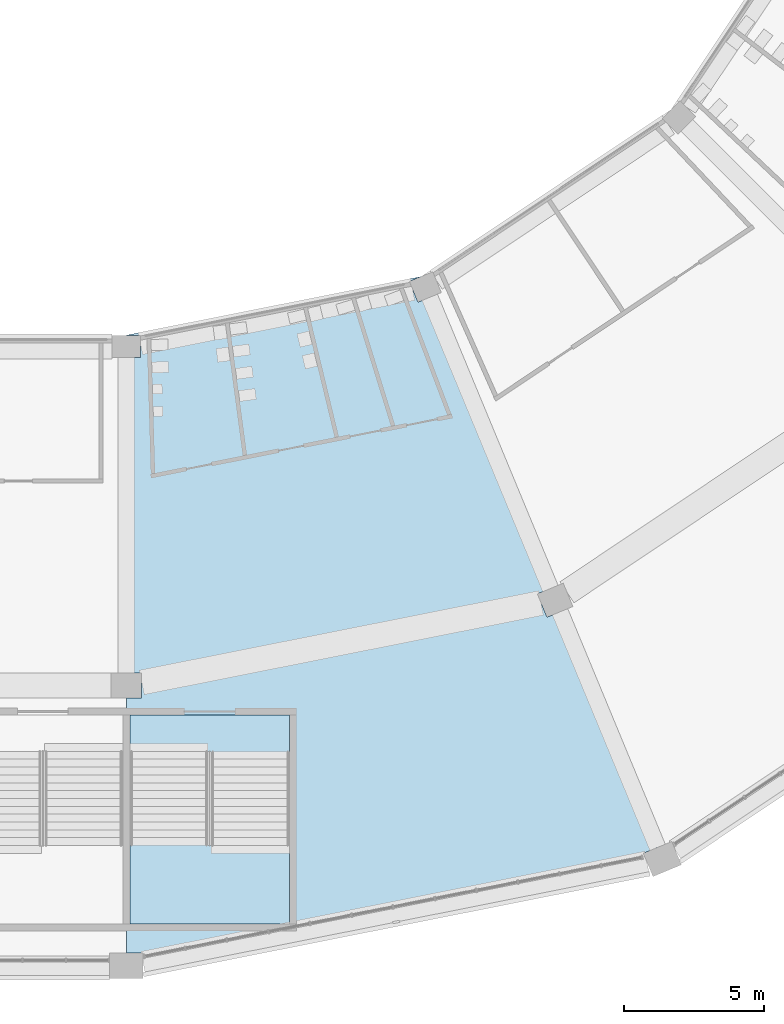
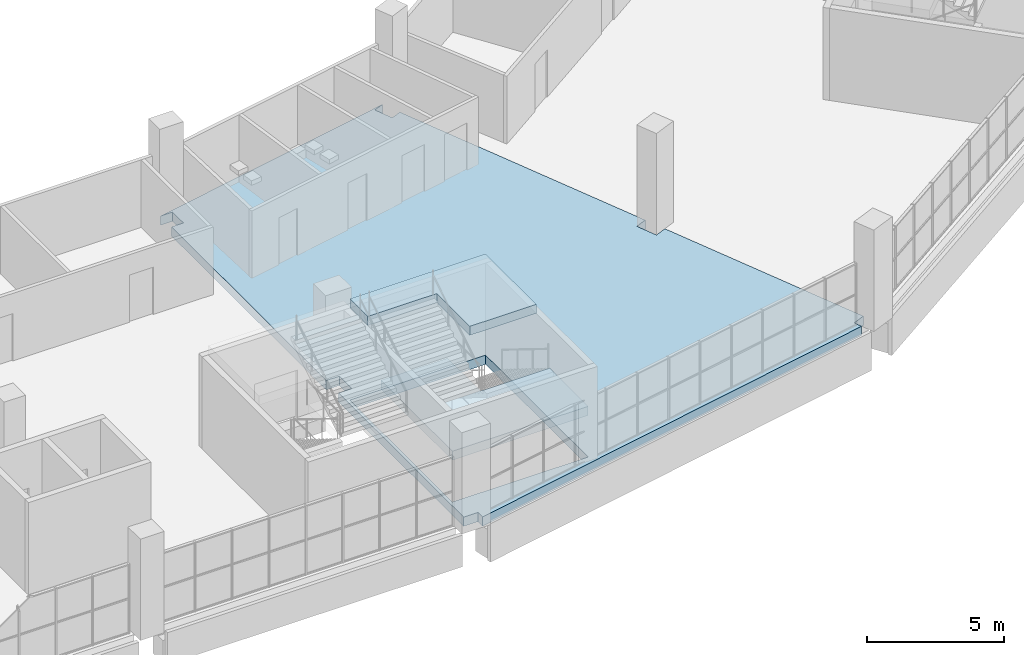
# One storey, part 59 of 199: 3 slabs, 1 element without a shape of its own.
"""IFC4 building model written with IfcOpenShell, lengths in metres."""

from ifc_helpers import new_model, si_unit, direction, frame, origin, place, context, subcontext, project, spatial, polyline, outline, extrude, material, layer, layer_set, type_object, element, aggregate, save


model = new_model("IFC4")

# Units and contexts
model_context = context("Model", 3, precision=1e-05, world=origin(), true_north=direction((0.0, 1.0)))
body_context = subcontext(model_context, "Body", "Model", "MODEL_VIEW")
ifc_project = project(units=[si_unit("LENGTHUNIT", "METRE"), si_unit("AREAUNIT", "SQUARE_METRE"), si_unit("VOLUMEUNIT", "CUBIC_METRE"), si_unit("PLANEANGLEUNIT", "RADIAN"), si_unit("MASSUNIT", "GRAM", prefix="KILO")], contexts=[model_context])

# Site, building, storey
site_placement = place(None, origin())
site = spatial("IfcSite", under=ifc_project, at=site_placement, CompositionType="ELEMENT")
building_placement = place(site_placement, origin())
building = spatial("IfcBuilding", under=site, at=building_placement, Name="Ogive Plaza Stadium", CompositionType="ELEMENT")
storey_placement = place(building_placement, frame((0.0, 0.0, 9.0)))
storey = spatial("IfcBuildingStorey", under=building, at=storey_placement, Name="L02", CompositionType="ELEMENT", Elevation=9.0)

# Slab
ifc_material_1 = material(Name="Concrete C40/50", Category="concrete")
ifc_layer_1 = layer(ifc_material_1, 0.409912109375)
ifc_layer_set_1 = layer_set([ifc_layer_1], Name="Concrete C40/50")
slab_type_1 = type_object("IfcSlabType", Name="RC floor slab 410", PredefinedType="FLOOR", material=ifc_layer_set_1)
slab_1_placement = place(storey_placement, frame((0.0, 0.0, -0.409912109375)))
element("IfcSlab", 1, at=slab_1_placement, inside=storey, type_object=slab_type_1, Name="Floor slab L02 B11", PredefinedType="FLOOR", context=body_context, shape_type="SweptSolid", body=[
    extrude(outline(polyline([(34.0, -92.050048828125), (34.550048828125, -92.050048828125), (34.550048828125, -92.949951171875), (34.0, -92.949951171875), (34.0, -102.050048828125), (34.60009765625, -102.050048828125), (34.60009765625, -102.380615234375), (52.584228515625, -98.803466796875), (52.453857421875, -98.48876953125), (52.9619140625, -98.2783203125), (49.4794921875, -89.870849609375), (49.017578125, -90.062255859375), (48.673095703125, -89.230712890625), (49.135009765625, -89.03955078125), (44.829833984375, -78.645751953125), (44.414306640625, -78.818115234375), (44.108154296875, -78.078857421875), (44.523681640625, -77.90673828125), (34.0, -80.0), (34.5, -80.0), (34.5, -80.800048828125), (34.0, -80.800048828125), (34.0, -92.050048828125)]), holes=[polyline([(39.824951171875, -93.550048828125), (34.125, -93.550048828125), (34.125, -101.010009765625), (39.824951171875, -101.010009765625), (39.824951171875, -93.550048828125)])]), origin(), (0.0, 0.0, 1.0), 0.409912109375),
])

# Stair, slabs
ifc_material_2 = material(Name="Concrete C40/50", Category="concrete")
stair_type = type_object("IfcStairType", Name="Exit stair", PredefinedType="STRAIGHT_RUN_STAIR", material=ifc_material_2)
stair_placement = place(storey_placement, origin())
stair = element("IfcStair", 2, at=stair_placement, inside=storey, type_object=stair_type, Name="Exit stair ST12B L02 to L03", PredefinedType="STRAIGHT_RUN_STAIR")
ifc_material_3 = material(Name="Concrete C40/50", Category="concrete")
ifc_layer_2 = layer(ifc_material_3, 0.39990234375)
ifc_layer_set_2 = layer_set([ifc_layer_2], Name="Concrete C40/50")
slab_type_2 = type_object("IfcSlabType", Name="Stair landing", PredefinedType="LANDING", material=ifc_layer_set_2)
slab_2_placement = place(storey_placement, frame((0.0, 0.0, 1.85009765625)))
slab_2 = element("IfcSlab", 3, at=slab_2_placement, type_object=slab_type_2, Name="ST12B landing 1", PredefinedType="LANDING", context=body_context, shape_type="SweptSolid", body=[
    extrude(outline(polyline([(34.125, -95.81005859375), (36.925048828125, -95.81005859375), (36.925048828125, -98.2099609375), (39.824951171875, -98.2099609375), (39.824951171875, -101.010009765625), (34.125, -101.010009765625), (34.125, -98.2099609375), (34.125, -95.81005859375)])), origin(), (0.0, 0.0, 1.0), 0.39990234375),
])
slab_3_placement = place(storey_placement, frame((0.0, 0.0, 4.10009765625)))
slab_3 = element("IfcSlab", 4, at=slab_3_placement, type_object=slab_type_2, Name="ST12B landing 2", PredefinedType="LANDING", context=body_context, shape_type="SweptSolid", body=[
    extrude(outline(polyline([(34.125, -94.85009765625), (34.125, -93.550048828125), (39.824951171875, -93.550048828125), (39.824951171875, -94.85009765625), (39.824951171875, -97.25), (37.02490234375, -97.25), (37.02490234375, -94.85009765625), (34.125, -94.85009765625)])), origin(), (0.0, 0.0, 1.0), 0.39990234375),
])
aggregate(stair, [slab_2, slab_3])

save(model, "model.ifc")
